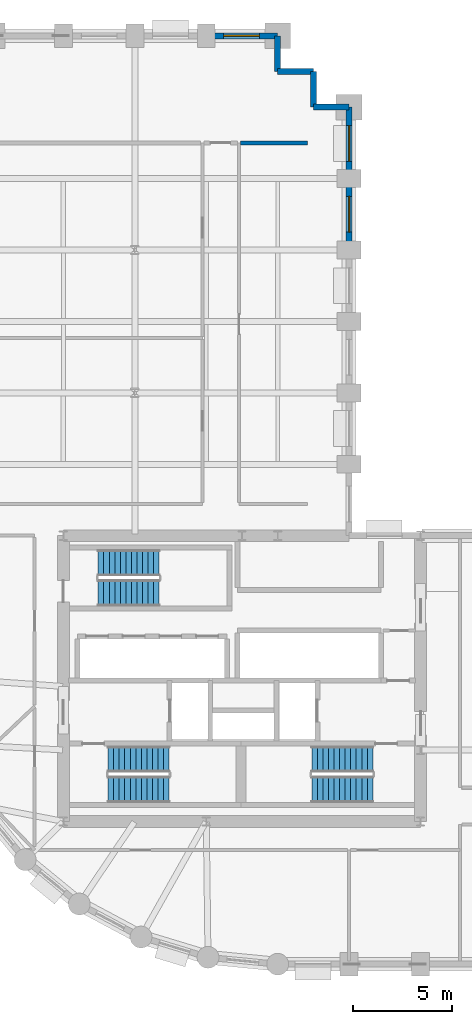
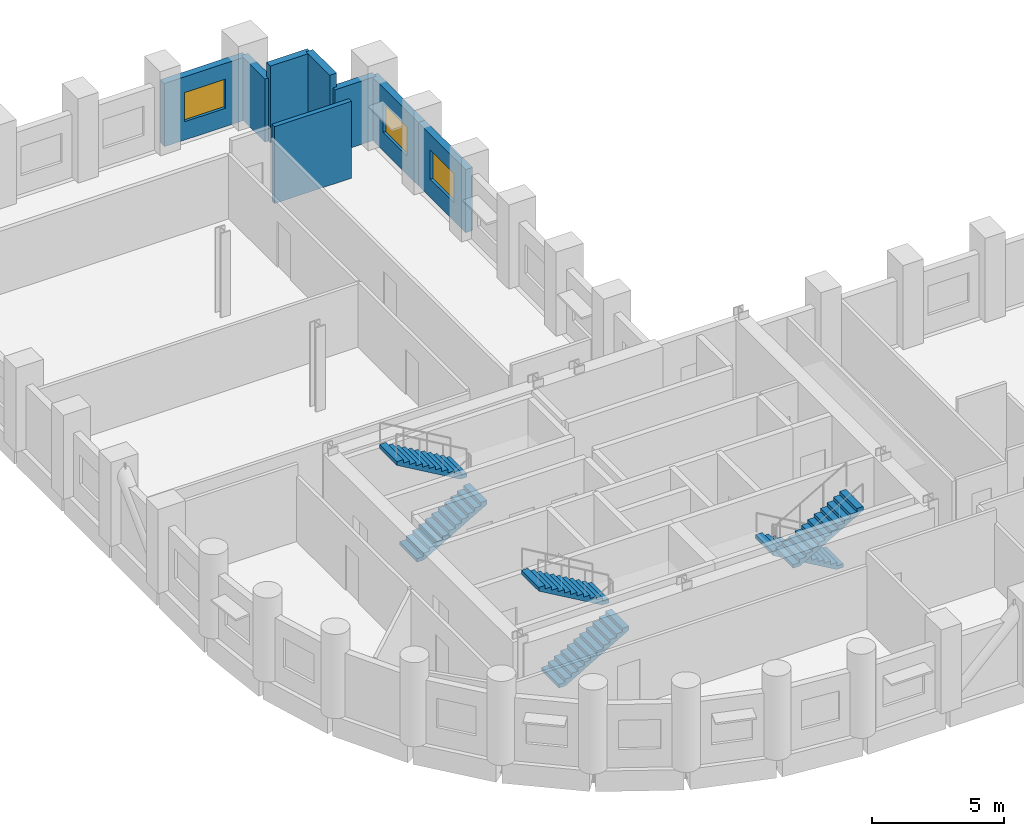
# One storey, part 7 of 9: 8 walls, 6 stair flights, 3 windows, 3 openings, 3 elements without a shape of their own.
"""IFC4 building model written with IfcOpenShell, lengths in metres."""

from ifc_helpers import new_model, si_unit, direction, frame, frame_2d, origin, place, context, subcontext, project, spatial, polyline, rectangle, outline, extrude, material, layer, layer_set, type_object, element, fill, aggregate, save


model = new_model("IFC4")

# Units and contexts
model_context = context("Model", 3, precision=1e-05, world=origin(), true_north=direction((0.0, 1.0)))
body_context = subcontext(model_context, "Body", "Model", "MODEL_VIEW")
ifc_project = project(units=[si_unit("LENGTHUNIT", "METRE"), si_unit("AREAUNIT", "SQUARE_METRE"), si_unit("VOLUMEUNIT", "CUBIC_METRE"), si_unit("PLANEANGLEUNIT", "RADIAN"), si_unit("MASSUNIT", "GRAM", prefix="KILO")], contexts=[model_context])

# Site, building, storey
site_placement = place(None, origin())
site = spatial("IfcSite", under=ifc_project, at=site_placement, CompositionType="ELEMENT")
building_placement = place(site_placement, origin())
building = spatial("IfcBuilding", under=site, at=building_placement, Name="Solnavia Interchange Tower", CompositionType="ELEMENT")
storey_placement = place(building_placement, frame((0.0, 0.0, 70.800048828125)))
storey = spatial("IfcBuildingStorey", under=building, at=storey_placement, Name="L17", CompositionType="ELEMENT", Elevation=70.800048828125)

# Wall
ifc_material_1 = material(Name="Gypsum Acoustic Twin-Stud & Mineral Wool", Category="gypsum")
ifc_layer_1 = layer(ifc_material_1, 0.199951171875)
ifc_layer_set_1 = layer_set([ifc_layer_1], Name="Gypsum Acoustic Twin-Stud & Mineral Wool")
wall_type_1 = type_object("IfcWallType", Name="Wall-ApartmentParty-200", PredefinedType="PARTITIONING", material=ifc_layer_set_1)
wall_1_placement = place(storey_placement, frame((23.3291015625, 45.0, 0.0), z_axis=(0.0, 0.0, 1.0), x_axis=(1.0, 0.0, 0.0)))
element("IfcWall", 1, at=wall_1_placement, inside=storey, type_object=wall_type_1, Name="PTW-L17-32 Interior partition wall", PredefinedType="PARTITIONING", context=body_context, shape_type="SweptSolid", body=[
    extrude(rectangle(XDim=3.370849609375, YDim=0.199951171875, at=frame_2d((1.685546875, 0.0))), origin(), (0.0, 0.0, 1.0), 3.56494140625),
])

# Wall, opening, window
ifc_material_2 = material(Name="Concrete C40/50", Category="concrete")
ifc_layer_2 = layer(ifc_material_2, 0.300048828125)
ifc_layer_set_2 = layer_set([ifc_layer_2], Name="Concrete C40/50")
wall_type_2 = type_object("IfcWallType", Name="Wall-ExtSpandrel-300", PredefinedType="STANDARD", material=ifc_layer_set_2)
wall_2_placement = place(storey_placement, frame((28.800048828125, 39.60009765625, 0.0), z_axis=(0.0, 0.0, 1.0), x_axis=(0.0, 1.0, 0.0)))
wall_2 = element("IfcWall", 2, at=wall_2_placement, inside=storey, type_object=wall_type_2, Name="EXW-L17-38 Exterior precast spandrel wall", PredefinedType="STANDARD", context=body_context, shape_type="SweptSolid", body=[
    extrude(rectangle(XDim=3.599853515625, YDim=0.300048828125, at=frame_2d((1.7998046875, 0.0))), origin(), (0.0, 0.0, 1.0), 2.929931640625),
])
opening_1_placement = place(wall_2_placement, frame((0.89990234375, 0.0, 0.85009765625)))
opening_1 = element("IfcOpeningElement", 3, at=opening_1_placement, cuts=wall_2, Name="Opening WIN-02", PredefinedType="OPENING", context=body_context, shape_type="SweptSolid", body=[
    extrude(rectangle(XDim=1.800048828125, YDim=1.35009765625, at=frame_2d((0.89990234375, 0.675048828125))), frame((0.0, 0.16015625, 0.0), z_axis=(0.0, -1.0, 0.0), x_axis=(1.0, 0.0, 0.0)), (0.0, 0.0, 1.0), 0.320068359375),
])
ifc_material_3 = material(Name="Thermal-Break Aluminium & Low-E Glass", Category="aluminium")
window_type = type_object("IfcWindowType", Name="Window-Ribbon-1800x1350", PartitioningType="SINGLE_PANEL", PredefinedType="WINDOW", material=ifc_material_3)
window_1_placement = place(opening_1_placement, origin())
window_1 = element("IfcWindow", 4, at=window_1_placement, inside=storey, type_object=window_type, Name="WIN-L17-38 Facade ribbon window", OverallHeight=1.35009765625, OverallWidth=1.800048828125, PartitioningType="SINGLE_PANEL", PredefinedType="WINDOW", context=body_context, shape_type="SweptSolid", body=[
    extrude(rectangle(XDim=1.800048828125, YDim=1.35009765625, at=frame_2d((0.89990234375, 0.675048828125))), frame((0.0, 0.030029296875, 0.0), z_axis=(0.0, -1.0, 0.0), x_axis=(1.0, 0.0, 0.0)), (0.0, 0.0, 1.0), 0.06005859375),
])
fill(opening_1, window_1)

wall_3_placement = place(storey_placement, frame((28.800048828125, 43.199951171875, 0.0), z_axis=(0.0, 0.0, 1.0), x_axis=(0.0, 1.0, 0.0)))
wall_3 = element("IfcWall", 5, at=wall_3_placement, inside=storey, type_object=wall_type_2, Name="EXW-L17-39 Exterior precast spandrel wall", PredefinedType="STANDARD", context=body_context, shape_type="SweptSolid", body=[
    extrude(rectangle(XDim=3.60009765625, YDim=0.300048828125, at=frame_2d((1.800048828125, 0.0))), origin(), (0.0, 0.0, 1.0), 2.929931640625),
])
opening_2_placement = place(wall_3_placement, frame((0.875, 0.0, 0.85009765625)))
opening_2 = element("IfcOpeningElement", 6, at=opening_2_placement, cuts=wall_3, Name="Opening WIN-02", PredefinedType="OPENING", context=body_context, shape_type="SweptSolid", body=[
    extrude(rectangle(XDim=1.800048828125, YDim=1.35009765625, at=frame_2d((0.89990234375, 0.675048828125))), frame((0.0, 0.16015625, 0.0), z_axis=(0.0, -1.0, 0.0), x_axis=(1.0, 0.0, 0.0)), (0.0, 0.0, 1.0), 0.320068359375),
])
window_2_placement = place(opening_2_placement, origin())
window_2 = element("IfcWindow", 7, at=window_2_placement, inside=storey, type_object=window_type, Name="WIN-L17-39 Facade ribbon window", OverallHeight=1.35009765625, OverallWidth=1.800048828125, PartitioningType="SINGLE_PANEL", PredefinedType="WINDOW", context=body_context, shape_type="SweptSolid", body=[
    extrude(rectangle(XDim=1.800048828125, YDim=1.35009765625, at=frame_2d((0.89990234375, 0.675048828125))), frame((0.0, 0.030029296875, 0.0), z_axis=(0.0, -1.0, 0.0), x_axis=(1.0, 0.0, 0.0)), (0.0, 0.0, 1.0), 0.06005859375),
])
fill(opening_2, window_2)

# Walls
wall_4_placement = place(storey_placement, frame((27.0, 46.800048828125, 0.0), z_axis=(0.0, 0.0, 1.0), x_axis=(1.0, 0.0, 0.0)))
element("IfcWall", 8, at=wall_4_placement, inside=storey, type_object=wall_type_2, Name="EXW-L17-40 Exterior precast spandrel wall", PredefinedType="STANDARD", context=body_context, shape_type="SweptSolid", body=[
    extrude(rectangle(XDim=1.800048828125, YDim=0.300048828125, at=frame_2d((0.89990234375, 0.0))), origin(), (0.0, 0.0, 1.0), 2.929931640625),
])
for number, where, z_axis, x_axis, name in (
    (9, (27.0, 46.800048828125, 0.0), (0.0, 0.0, 1.0), (0.0, 1.0, 0.0), "EXW-L17-41 Exterior precast spandrel wall"),
    (10, (25.199951171875, 48.60009765625, 0.0), (0.0, 0.0, 1.0), (1.0, 0.0, 0.0), "EXW-L17-42 Exterior precast spandrel wall"),
):
    element("IfcWall", number, at=place(storey_placement, frame(where, z_axis=z_axis, x_axis=x_axis)), inside=storey, type_object=wall_type_2, Name=name, PredefinedType="STANDARD", context=body_context, shape_type="SweptSolid", body=[
        extrude(rectangle(XDim=1.800048828125, YDim=0.300048828125, at=frame_2d((0.89990234375, 0.0))), origin(), (0.0, 0.0, 1.0), 3.56494140625),
    ])
wall_5_placement = place(storey_placement, frame((25.199951171875, 48.60009765625, 0.0), z_axis=(0.0, 0.0, 1.0), x_axis=(0.0, 1.0, 0.0)))
element("IfcWall", 11, at=wall_5_placement, inside=storey, type_object=wall_type_2, Name="EXW-L17-43 Exterior precast spandrel wall", PredefinedType="STANDARD", context=body_context, shape_type="SweptSolid", body=[
    extrude(rectangle(XDim=1.7998046875, YDim=0.300048828125, at=frame_2d((0.89990234375, 0.0))), origin(), (0.0, 0.0, 1.0), 2.929931640625),
])

# Wall, opening, window
wall_6_placement = place(storey_placement, frame((21.60009765625, 50.39990234375, 0.0), z_axis=(0.0, 0.0, 1.0), x_axis=(1.0, 0.0, 0.0)))
wall_6 = element("IfcWall", 12, at=wall_6_placement, inside=storey, type_object=wall_type_2, Name="EXW-L17-44 Exterior precast spandrel wall", PredefinedType="STANDARD", context=body_context, shape_type="SweptSolid", body=[
    extrude(rectangle(XDim=3.599853515625, YDim=0.300048828125, at=frame_2d((1.7998046875, 0.0))), origin(), (0.0, 0.0, 1.0), 2.929931640625),
])
opening_3_placement = place(wall_6_placement, frame((0.875, 0.0, 0.85009765625)))
opening_3 = element("IfcOpeningElement", 13, at=opening_3_placement, cuts=wall_6, Name="Opening WIN-02", PredefinedType="OPENING", context=body_context, shape_type="SweptSolid", body=[
    extrude(rectangle(XDim=1.800048828125, YDim=1.35009765625, at=frame_2d((0.89990234375, 0.675048828125))), frame((0.0, 0.16015625, 0.0), z_axis=(0.0, -1.0, 0.0), x_axis=(1.0, 0.0, 0.0)), (0.0, 0.0, 1.0), 0.320068359375),
])
window_3_placement = place(opening_3_placement, origin())
window_3 = element("IfcWindow", 14, at=window_3_placement, inside=storey, type_object=window_type, Name="WIN-L17-44 Facade ribbon window", OverallHeight=1.35009765625, OverallWidth=1.800048828125, PartitioningType="SINGLE_PANEL", PredefinedType="WINDOW", context=body_context, shape_type="SweptSolid", body=[
    extrude(rectangle(XDim=1.800048828125, YDim=1.35009765625, at=frame_2d((0.89990234375, 0.675048828125))), frame((0.0, 0.030029296875, 0.0), z_axis=(0.0, -1.0, 0.0), x_axis=(1.0, 0.0, 0.0)), (0.0, 0.0, 1.0), 0.06005859375),
])
fill(opening_3, window_3)

# Stair, stair flights
stair_type = type_object("IfcStairType", Name="Stair-Dogleg-RC", PredefinedType="HALF_TURN_STAIR", material=ifc_material_2)
stair_1_placement = place(storey_placement, origin())
stair_1 = element("IfcStair", 15, at=stair_1_placement, inside=storey, type_object=stair_type, Name="L17 Core exit stair 1", PredefinedType="HALF_TURN_STAIR")
stair_flight_type = type_object("IfcStairFlightType", Name="StairFlight-RC-150", PredefinedType="STRAIGHT", material=ifc_material_2)
stair_flight_1_placement = place(storey_placement, frame((16.64990234375, 12.409912109375, 0.0), z_axis=(0.0, 0.0, 1.0), x_axis=(1.0, 0.0, 0.0)))
stair_flight_1 = element("IfcStairFlight", 16, at=stair_flight_1_placement, type_object=stair_flight_type, Name="ST-1 flight 1", NumberOfRisers=12, NumberOfTreads=11, PredefinedType="STRAIGHT", RiserHeight=0.1625, TreadLength=0.28, context=body_context, shape_type="SweptSolid", body=[
    extrude(outline(polyline([(0.0, 0.0), (0.0, 0.16259765625), (0.280029296875, 0.16259765625), (0.280029296875, 0.324951171875), (0.56005859375, 0.324951171875), (0.56005859375, 0.487548828125), (0.840087890625, 0.487548828125), (0.840087890625, 0.64990234375), (1.1201171875, 0.64990234375), (1.1201171875, 0.8125), (1.39990234375, 0.8125), (1.39990234375, 0.97509765625), (1.679931640625, 0.97509765625), (1.679931640625, 1.137451171875), (1.9599609375, 1.137451171875), (1.9599609375, 1.300048828125), (2.239990234375, 1.300048828125), (2.239990234375, 1.46240234375), (2.52001953125, 1.46240234375), (2.52001953125, 1.625), (2.800048828125, 1.625), (2.800048828125, 1.78759765625), (3.080078125, 1.78759765625), (3.080078125, 1.949951171875), (3.080078125, 1.6142578125), (0.298583984375, 0.0), (0.0, 0.0)])), frame((0.0, 0.66015625, 0.0), z_axis=(0.0, -1.0, 0.0), x_axis=(1.0, 0.0, 0.0)), (0.0, 0.0, 1.0), 1.320068359375),
])
stair_flight_2_placement = place(storey_placement, frame((19.72998046875, 13.929931640625, 1.949951171875), z_axis=(0.0, 0.0, 1.0), x_axis=(-1.0, 0.0, 0.0)))
stair_flight_2 = element("IfcStairFlight", 17, at=stair_flight_2_placement, type_object=stair_flight_type, Name="ST-1 flight 2", NumberOfRisers=12, NumberOfTreads=11, PredefinedType="STRAIGHT", RiserHeight=0.1625, TreadLength=0.28, context=body_context, shape_type="SweptSolid", body=[
    extrude(outline(polyline([(0.0, 0.0), (0.0, 0.16259765625), (0.280029296875, 0.16259765625), (0.280029296875, 0.324951171875), (0.56005859375, 0.324951171875), (0.56005859375, 0.487548828125), (0.840087890625, 0.487548828125), (0.840087890625, 0.64990234375), (1.1201171875, 0.64990234375), (1.1201171875, 0.8125), (1.39990234375, 0.8125), (1.39990234375, 0.97509765625), (1.679931640625, 0.97509765625), (1.679931640625, 1.137451171875), (1.9599609375, 1.137451171875), (1.9599609375, 1.300048828125), (2.239990234375, 1.300048828125), (2.239990234375, 1.46240234375), (2.52001953125, 1.46240234375), (2.52001953125, 1.625), (2.800048828125, 1.625), (2.800048828125, 1.78759765625), (3.080078125, 1.78759765625), (3.080078125, 1.949951171875), (3.080078125, 1.6142578125), (0.298583984375, 0.0), (0.0, 0.0)])), frame((0.0, 0.66015625, 0.0), z_axis=(0.0, -1.0, 0.0), x_axis=(1.0, 0.0, 0.0)), (0.0, 0.0, 1.0), 1.320068359375),
])
aggregate(stair_1, [stair_flight_1, stair_flight_2])

stair_2_placement = place(storey_placement, origin())
stair_2 = element("IfcStair", 18, at=stair_2_placement, inside=storey, type_object=stair_type, Name="L17 Core exit stair 2", PredefinedType="HALF_TURN_STAIR")
stair_flight_3_placement = place(storey_placement, frame((30.0, 13.929931640625, 0.0), z_axis=(0.0, 0.0, 1.0), x_axis=(-1.0, 0.0, 0.0)))
stair_flight_3 = element("IfcStairFlight", 19, at=stair_flight_3_placement, type_object=stair_flight_type, Name="ST-2 flight 1", NumberOfRisers=12, NumberOfTreads=11, PredefinedType="STRAIGHT", RiserHeight=0.1625, TreadLength=0.28, context=body_context, shape_type="SweptSolid", body=[
    extrude(outline(polyline([(0.0, 0.0), (0.0, 0.16259765625), (0.280029296875, 0.16259765625), (0.280029296875, 0.324951171875), (0.56005859375, 0.324951171875), (0.56005859375, 0.487548828125), (0.840087890625, 0.487548828125), (0.840087890625, 0.64990234375), (1.1201171875, 0.64990234375), (1.1201171875, 0.8125), (1.39990234375, 0.8125), (1.39990234375, 0.97509765625), (1.679931640625, 0.97509765625), (1.679931640625, 1.137451171875), (1.9599609375, 1.137451171875), (1.9599609375, 1.300048828125), (2.239990234375, 1.300048828125), (2.239990234375, 1.46240234375), (2.52001953125, 1.46240234375), (2.52001953125, 1.625), (2.800048828125, 1.625), (2.800048828125, 1.78759765625), (3.080078125, 1.78759765625), (3.080078125, 1.949951171875), (3.080078125, 1.6142578125), (0.298583984375, 0.0), (0.0, 0.0)])), frame((0.0, 0.66015625, 0.0), z_axis=(0.0, -1.0, 0.0), x_axis=(1.0, 0.0, 0.0)), (0.0, 0.0, 1.0), 1.320068359375),
])
stair_flight_4_placement = place(storey_placement, frame((26.919921875, 12.409912109375, 1.949951171875), z_axis=(0.0, 0.0, 1.0), x_axis=(1.0, 0.0, 0.0)))
stair_flight_4 = element("IfcStairFlight", 20, at=stair_flight_4_placement, type_object=stair_flight_type, Name="ST-2 flight 2", NumberOfRisers=12, NumberOfTreads=11, PredefinedType="STRAIGHT", RiserHeight=0.1625, TreadLength=0.28, context=body_context, shape_type="SweptSolid", body=[
    extrude(outline(polyline([(0.0, 0.0), (0.0, 0.16259765625), (0.280029296875, 0.16259765625), (0.280029296875, 0.324951171875), (0.56005859375, 0.324951171875), (0.56005859375, 0.487548828125), (0.840087890625, 0.487548828125), (0.840087890625, 0.64990234375), (1.1201171875, 0.64990234375), (1.1201171875, 0.8125), (1.39990234375, 0.8125), (1.39990234375, 0.97509765625), (1.679931640625, 0.97509765625), (1.679931640625, 1.137451171875), (1.9599609375, 1.137451171875), (1.9599609375, 1.300048828125), (2.239990234375, 1.300048828125), (2.239990234375, 1.46240234375), (2.52001953125, 1.46240234375), (2.52001953125, 1.625), (2.800048828125, 1.625), (2.800048828125, 1.78759765625), (3.080078125, 1.78759765625), (3.080078125, 1.949951171875), (3.080078125, 1.6142578125), (0.298583984375, 0.0), (0.0, 0.0)])), frame((0.0, 0.66015625, 0.0), z_axis=(0.0, -1.0, 0.0), x_axis=(1.0, 0.0, 0.0)), (0.0, 0.0, 1.0), 1.320068359375),
])
aggregate(stair_2, [stair_flight_3, stair_flight_4])

stair_3_placement = place(storey_placement, origin())
stair_3 = element("IfcStair", 21, at=stair_3_placement, inside=storey, type_object=stair_type, Name="L17 Core exit stair 3", PredefinedType="HALF_TURN_STAIR")
stair_flight_5_placement = place(storey_placement, frame((16.14990234375, 22.31005859375, 0.0), z_axis=(0.0, 0.0, 1.0), x_axis=(1.0, 0.0, 0.0)))
stair_flight_5 = element("IfcStairFlight", 22, at=stair_flight_5_placement, type_object=stair_flight_type, Name="ST-3 flight 1", NumberOfRisers=12, NumberOfTreads=11, PredefinedType="STRAIGHT", RiserHeight=0.1625, TreadLength=0.28, context=body_context, shape_type="SweptSolid", body=[
    extrude(outline(polyline([(0.0, 0.0), (0.0, 0.16259765625), (0.280029296875, 0.16259765625), (0.280029296875, 0.324951171875), (0.56005859375, 0.324951171875), (0.56005859375, 0.487548828125), (0.840087890625, 0.487548828125), (0.840087890625, 0.64990234375), (1.1201171875, 0.64990234375), (1.1201171875, 0.8125), (1.39990234375, 0.8125), (1.39990234375, 0.97509765625), (1.679931640625, 0.97509765625), (1.679931640625, 1.137451171875), (1.9599609375, 1.137451171875), (1.9599609375, 1.300048828125), (2.239990234375, 1.300048828125), (2.239990234375, 1.46240234375), (2.52001953125, 1.46240234375), (2.52001953125, 1.625), (2.800048828125, 1.625), (2.800048828125, 1.78759765625), (3.080078125, 1.78759765625), (3.080078125, 1.949951171875), (3.080078125, 1.6142578125), (0.298583984375, 0.0), (0.0, 0.0)])), frame((0.0, 0.66015625, 0.0), z_axis=(0.0, -1.0, 0.0), x_axis=(1.0, 0.0, 0.0)), (0.0, 0.0, 1.0), 1.320068359375),
])
stair_flight_6_placement = place(storey_placement, frame((19.22998046875, 23.830078125, 1.949951171875), z_axis=(0.0, 0.0, 1.0), x_axis=(-1.0, 0.0, 0.0)))
stair_flight_6 = element("IfcStairFlight", 23, at=stair_flight_6_placement, type_object=stair_flight_type, Name="ST-3 flight 2", NumberOfRisers=12, NumberOfTreads=11, PredefinedType="STRAIGHT", RiserHeight=0.1625, TreadLength=0.28, context=body_context, shape_type="SweptSolid", body=[
    extrude(outline(polyline([(0.0, 0.0), (0.0, 0.16259765625), (0.280029296875, 0.16259765625), (0.280029296875, 0.324951171875), (0.56005859375, 0.324951171875), (0.56005859375, 0.487548828125), (0.840087890625, 0.487548828125), (0.840087890625, 0.64990234375), (1.1201171875, 0.64990234375), (1.1201171875, 0.8125), (1.39990234375, 0.8125), (1.39990234375, 0.97509765625), (1.679931640625, 0.97509765625), (1.679931640625, 1.137451171875), (1.9599609375, 1.137451171875), (1.9599609375, 1.300048828125), (2.239990234375, 1.300048828125), (2.239990234375, 1.46240234375), (2.52001953125, 1.46240234375), (2.52001953125, 1.625), (2.800048828125, 1.625), (2.800048828125, 1.78759765625), (3.080078125, 1.78759765625), (3.080078125, 1.949951171875), (3.080078125, 1.6142578125), (0.298583984375, 0.0), (0.0, 0.0)])), frame((0.0, 0.66015625, 0.0), z_axis=(0.0, -1.0, 0.0), x_axis=(1.0, 0.0, 0.0)), (0.0, 0.0, 1.0), 1.320068359375),
])
aggregate(stair_3, [stair_flight_5, stair_flight_6])

save(model, "model.ifc")
